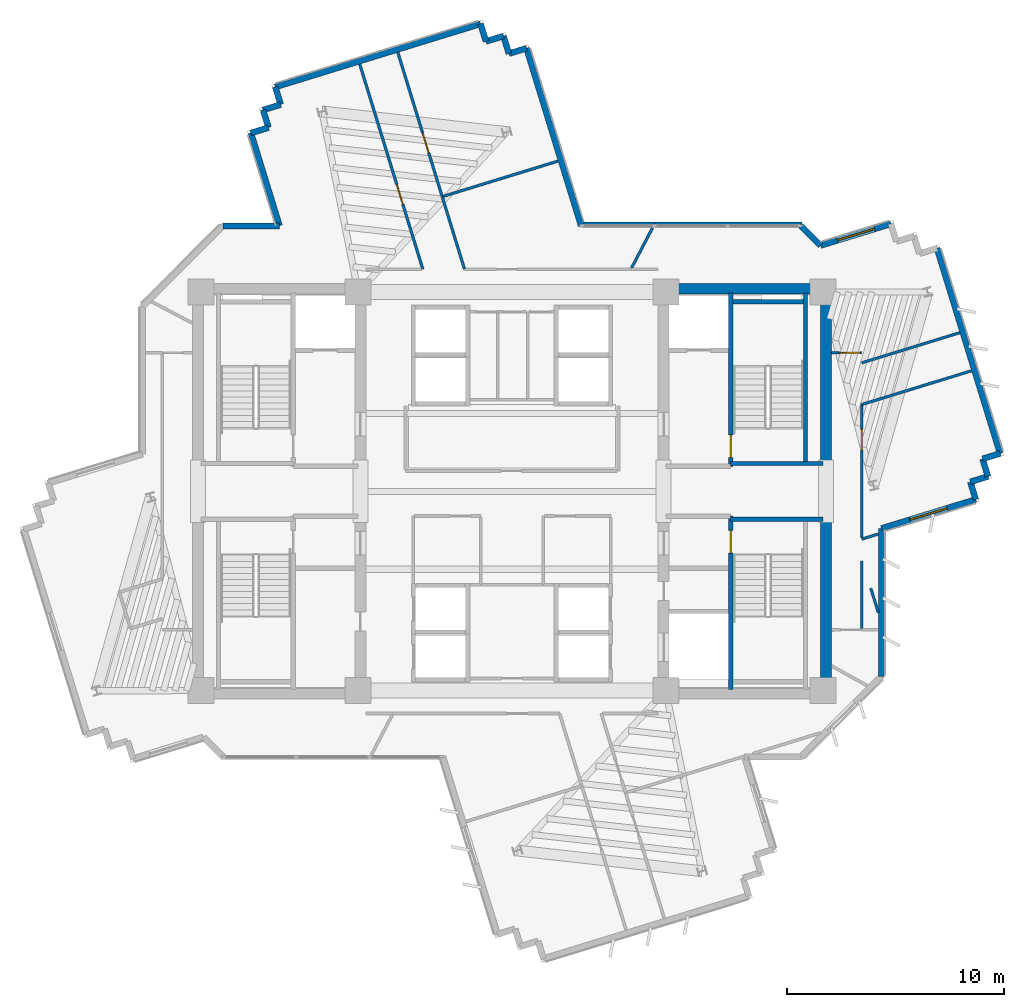
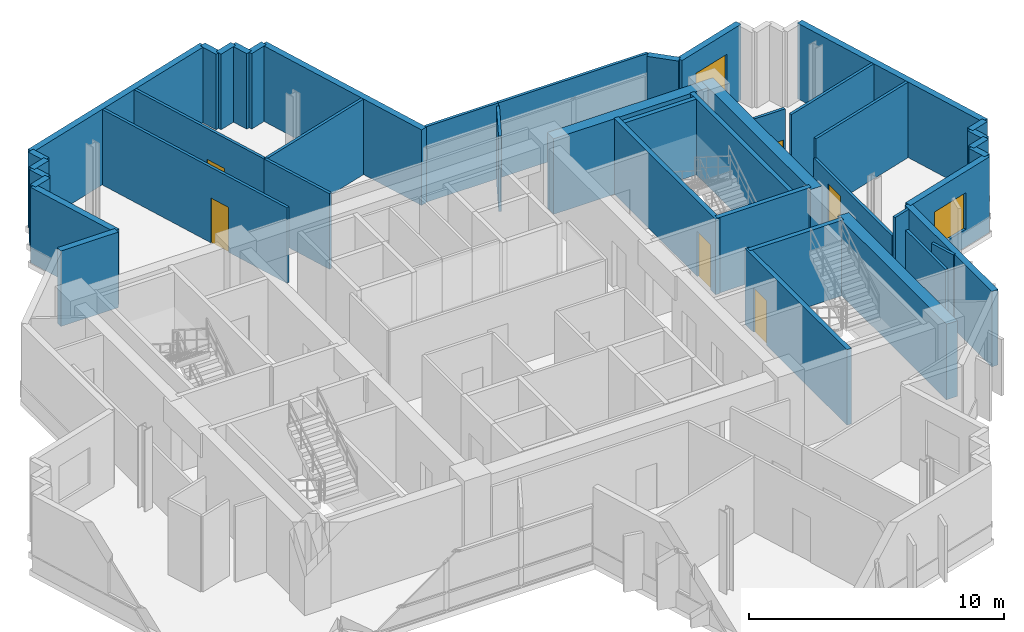
# One storey, part 8 of 13: 44 walls, 6 doors, 2 windows, 8 openings.
"""IFC4 building model written with IfcOpenShell, lengths in metres."""

from ifc_helpers import new_model, si_unit, direction, frame, frame_2d, origin, place, context, subcontext, project, spatial, rectangle, extrude, source, transform, mapped, material, layer, layer_set, type_object, element, fill, save


model = new_model("IFC4")

# Units and contexts
model_context = context("Model", 3, precision=1e-05, world=origin(), true_north=direction((0.0, 1.0)))
body_context = subcontext(model_context, "Body", "Model", "MODEL_VIEW")
ifc_project = project(units=[si_unit("LENGTHUNIT", "METRE"), si_unit("AREAUNIT", "SQUARE_METRE"), si_unit("VOLUMEUNIT", "CUBIC_METRE"), si_unit("PLANEANGLEUNIT", "RADIAN"), si_unit("MASSUNIT", "GRAM", prefix="KILO")], contexts=[model_context])

# Site, building, storey
site_placement = place(None, origin())
site = spatial("IfcSite", under=ifc_project, at=site_placement, CompositionType="ELEMENT")
building_placement = place(site_placement, origin())
building = spatial("IfcBuilding", under=site, at=building_placement, Name="Zahravan Cultural Tower", CompositionType="ELEMENT")
storey_placement = place(building_placement, frame((0.0, 0.0, 217.5)))
storey = spatial("IfcBuildingStorey", under=building, at=storey_placement, Name="L51", CompositionType="ELEMENT", Elevation=217.5)

# Wall, opening, window
ifc_material_1 = material(Name="Precast concrete C40/50", Category="concrete")
ifc_layer_1 = layer(ifc_material_1, 0.280029296875)
ifc_layer_set_1 = layer_set([ifc_layer_1], Name="Precast concrete C40/50")
wall_type_1 = type_object("IfcWallType", Name="EW-TC-280", PredefinedType="SOLIDWALL", material=ifc_layer_set_1)
wall_1_placement = place(storey_placement, frame((50.25, 38.351806640625, 0.0), z_axis=(0.0, 0.0, 1.0), x_axis=(0.955782111839, 0.294075763519, 0.0)))
wall_1 = element("IfcWall", 1, at=wall_1_placement, inside=storey, type_object=wall_type_1, Name="L51 Exterior Masonry Frame Wall 01", PredefinedType="SOLIDWALL", context=body_context, shape_type="SweptSolid", body=[
    extrude(rectangle(XDim=3.402099609375, YDim=0.280029296875, at=frame_2d((1.701171875, 0.0))), origin(), (0.0, 0.0, 1.0), 3.6201171875),
])
opening_1_placement = place(wall_1_placement, frame((0.801025390625, 0.0, 0.85009765625)))
opening_1 = element("IfcOpeningElement", 2, at=opening_1_placement, cuts=wall_1, Name="Opening WN-02", PredefinedType="OPENING", context=body_context, shape_type="SweptSolid", body=[
    extrude(rectangle(XDim=1.800048828125, YDim=1.75, at=frame_2d((0.89990234375, 0.875))), frame((0.0, 0.14990234375, 0.0), z_axis=(0.0, -1.0, 0.0), x_axis=(1.0, 0.0, 0.0)), (0.0, 0.0, 1.0), 0.300048828125),
])
ifc_material_2 = material(Name="Low-E solar-control double glazing", Category="glass")
window_type = type_object("IfcWindowType", Name="WN-REC-1800X1750", PartitioningType="DOUBLE_PANEL_VERTICAL", PredefinedType="WINDOW", material=ifc_material_2)
shared_shape_1 = source(origin(), body_context, "Body", "SweptSolid", [
    extrude(rectangle(XDim=1.800048828125, YDim=1.75, at=frame_2d((0.89990234375, 0.875))), frame((0.0, 0.030029296875, 0.0), z_axis=(0.0, -1.0, 0.0), x_axis=(1.0, 0.0, 0.0)), (0.0, 0.0, 1.0), 0.06005859375),
])
window_1_placement = place(opening_1_placement, origin())
window_1 = element("IfcWindow", 3, at=window_1_placement, inside=storey, type_object=window_type, Name="L51 Recessed Solar Window 01", OverallHeight=1.75, OverallWidth=1.800048828125, PartitioningType="DOUBLE_PANEL_VERTICAL", PredefinedType="WINDOW", context=body_context, shape_type="MappedRepresentation", body=[
    mapped(shared_shape_1, transform((0.0, 0.0, 0.0), x_axis=(1.0, 0.0, 0.0), y_axis=(0.0, 1.0, 0.0), z_axis=(0.0, 0.0, 1.0), scale=1.0)),
])
fill(opening_1, window_1)

wall_2_placement = place(storey_placement, frame((57.418212890625, 26.62109375, 0.0), z_axis=(0.0, 0.0, 1.0), x_axis=(-0.955788269664, -0.294055749089, 0.0)))
wall_2 = element("IfcWall", 4, at=wall_2_placement, inside=storey, type_object=wall_type_1, Name="L51 Exterior Masonry Frame Wall 11", PredefinedType="SOLIDWALL", context=body_context, shape_type="SweptSolid", body=[
    extrude(rectangle(XDim=4.559814453125, YDim=0.280029296875, at=frame_2d((2.27978515625, 0.0))), origin(), (0.0, 0.0, 1.0), 3.6201171875),
])
opening_2_placement = place(wall_2_placement, frame((1.3798828125, 0.0, 0.85009765625)))
opening_2 = element("IfcOpeningElement", 5, at=opening_2_placement, cuts=wall_2, Name="Opening WN-02", PredefinedType="OPENING", context=body_context, shape_type="SweptSolid", body=[
    extrude(rectangle(XDim=1.800048828125, YDim=1.75, at=frame_2d((0.89990234375, 0.875))), frame((0.0, 0.14990234375, 0.0), z_axis=(0.0, -1.0, 0.0), x_axis=(1.0, 0.0, 0.0)), (0.0, 0.0, 1.0), 0.300048828125),
])
window_2_placement = place(opening_2_placement, origin())
window_2 = element("IfcWindow", 6, at=window_2_placement, inside=storey, type_object=window_type, Name="L51 Recessed Solar Window 02", OverallHeight=1.75, OverallWidth=1.800048828125, PartitioningType="DOUBLE_PANEL_VERTICAL", PredefinedType="WINDOW", context=body_context, shape_type="MappedRepresentation", body=[
    mapped(shared_shape_1, transform((0.0, 0.0, 0.0), x_axis=(1.0, 0.0, 0.0), y_axis=(0.0, 1.0, 0.0), z_axis=(0.0, 0.0, 1.0), scale=1.0)),
])
fill(opening_2, window_2)

# Wall, opening, door
ifc_material_3 = material(Name="Gypsum plasterboard partition")
ifc_layer_2 = layer(ifc_material_3, 0.125)
ifc_layer_set_2 = layer_set([ifc_layer_2], Name="Gypsum plasterboard partition")
wall_type_2 = type_object("IfcWallType", Name="W-PART-125", PredefinedType="PARTITIONING", material=ifc_layer_set_2)
wall_3_placement = place(storey_placement, frame((52.14990234375, 24.86181640625, 0.0), z_axis=(0.0, 0.0, 1.0), x_axis=(0.0, 1.0, 0.0)))
wall_3 = element("IfcWall", 7, at=wall_3_placement, inside=storey, type_object=wall_type_2, Name="L51 Interior Wall 092", PredefinedType="PARTITIONING", context=body_context, shape_type="SweptSolid", body=[
    extrude(rectangle(XDim=6.14404296875, YDim=0.125, at=frame_2d((3.072021484375, 0.0))), origin(), (0.0, 0.0, 1.0), 2.693115234375),
])
opening_3_placement = place(wall_3_placement, frame((4.051513671875, 0.0, 0.0)))
opening_3 = element("IfcOpeningElement", 8, at=opening_3_placement, cuts=wall_3, Name="Opening D-L51-19", PredefinedType="OPENING", context=body_context, shape_type="SweptSolid", body=[
    extrude(rectangle(XDim=0.949951171875, YDim=2.14990234375, at=frame_2d((0.47509765625, 1.074951171875))), frame((0.0, 0.072509765625, 0.0), z_axis=(0.0, -1.0, 0.0), x_axis=(1.0, 0.0, 0.0)), (0.0, 0.0, 1.0), 0.14501953125),
])
ifc_material_4 = material(Name="Anodised bronze-aluminium mullion", Category="aluminium")
door_type_1 = type_object("IfcDoorType", Name="DR-ROOM-950", OperationType="NOTDEFINED", PredefinedType="DOOR", material=ifc_material_4)
shared_shape_2 = source(origin(), body_context, "Body", "SweptSolid", [
    extrude(rectangle(XDim=0.949951171875, YDim=2.14990234375, at=frame_2d((0.47509765625, 1.074951171875))), frame((0.0, 0.02490234375, 0.0), z_axis=(0.0, -1.0, 0.0), x_axis=(1.0, 0.0, 0.0)), (0.0, 0.0, 1.0), 0.050048828125),
])
door_1_placement = place(opening_3_placement, origin())
door_1 = element("IfcDoor", 9, at=door_1_placement, inside=storey, type_object=door_type_1, Name="L51 Door D-L51-19", OperationType="SINGLE_SWING_RIGHT", OverallHeight=2.14990234375, OverallWidth=0.949951171875, PredefinedType="DOOR", context=body_context, shape_type="MappedRepresentation", body=[
    mapped(shared_shape_2, transform((0.0, 0.0, 0.0), x_axis=(1.0, 0.0, 0.0), y_axis=(0.0, 1.0, 0.0), z_axis=(0.0, 0.0, 1.0), scale=1.0)),
])
fill(opening_3, door_1)

wall_4_placement = place(storey_placement, frame((32.771484375, 40.622802734375, 0.0), z_axis=(0.0, 0.0, 1.0), x_axis=(-0.294016682873, 0.955800287818, 0.0)))
wall_4 = element("IfcWall", 10, at=wall_4_placement, inside=storey, type_object=wall_type_2, Name="L51 Interior Wall 094", PredefinedType="PARTITIONING", context=body_context, shape_type="SweptSolid", body=[
    extrude(rectangle(XDim=6.945068359375, YDim=0.125, at=frame_2d((3.47265625, 0.0))), origin(), (0.0, 0.0, 1.0), 3.6201171875),
])
opening_4_placement = place(wall_4_placement, frame((2.098388671875, 0.0, 0.0)))
opening_4 = element("IfcOpeningElement", 11, at=opening_4_placement, cuts=wall_4, Name="Opening D-L51-22", PredefinedType="OPENING", context=body_context, shape_type="SweptSolid", body=[
    extrude(rectangle(XDim=0.949951171875, YDim=2.14990234375, at=frame_2d((0.47509765625, 1.074951171875))), frame((0.0, 0.072509765625, 0.0), z_axis=(0.0, -1.0, 0.0), x_axis=(1.0, 0.0, 0.0)), (0.0, 0.0, 1.0), 0.14501953125),
])
door_2_placement = place(opening_4_placement, origin())
door_2 = element("IfcDoor", 12, at=door_2_placement, inside=storey, type_object=door_type_1, Name="L51 Door D-L51-22", OperationType="SINGLE_SWING_LEFT", OverallHeight=2.14990234375, OverallWidth=0.949951171875, PredefinedType="DOOR", context=body_context, shape_type="MappedRepresentation", body=[
    mapped(shared_shape_2, transform((0.0, 0.0, 0.0), x_axis=(1.0, 0.0, 0.0), y_axis=(0.0, 1.0, 0.0), z_axis=(0.0, 0.0, 1.0), scale=1.0)),
])
fill(opening_4, door_2)

wall_5_placement = place(storey_placement, frame((52.14892578125, 33.39892578125, 0.0), z_axis=(0.0, 0.0, 1.0), x_axis=(-0.999999754632, 0.000700525222, 0.0)))
wall_5 = element("IfcWall", 13, at=wall_5_placement, inside=storey, type_object=wall_type_2, Name="L51 Interior Wall 099", PredefinedType="PARTITIONING", context=body_context, shape_type="SweptSolid", body=[
    extrude(rectangle(XDim=1.39404296875, YDim=0.125, at=frame_2d((0.697021484375, 0.0))), origin(), (0.0, 0.0, 1.0), 3.6201171875),
])
opening_5_placement = place(wall_5_placement, frame((0.083740234375, 0.0, 0.0)))
opening_5 = element("IfcOpeningElement", 14, at=opening_5_placement, cuts=wall_5, Name="Opening D-L51-20", PredefinedType="OPENING", context=body_context, shape_type="SweptSolid", body=[
    extrude(rectangle(XDim=0.949951171875, YDim=2.14990234375, at=frame_2d((0.47509765625, 1.074951171875))), frame((0.0, 0.072509765625, 0.0), z_axis=(0.0, -1.0, 0.0), x_axis=(1.0, 0.0, 0.0)), (0.0, 0.0, 1.0), 0.14501953125),
])
door_3_placement = place(opening_5_placement, origin())
door_3 = element("IfcDoor", 15, at=door_3_placement, inside=storey, type_object=door_type_1, Name="L51 Door D-L51-20", OperationType="SINGLE_SWING_LEFT", OverallHeight=2.14990234375, OverallWidth=0.949951171875, PredefinedType="DOOR", context=body_context, shape_type="MappedRepresentation", body=[
    mapped(shared_shape_2, transform((0.0, 0.0, 0.0), x_axis=(1.0, 0.0, 0.0), y_axis=(0.0, 1.0, 0.0), z_axis=(0.0, 0.0, 1.0), scale=1.0)),
])
fill(opening_5, door_3)

wall_6_placement = place(storey_placement, frame((28.970703125, 46.719970703125, 0.0), z_axis=(0.0, 0.0, 1.0), x_axis=(0.294052915152, -0.955789141542, 0.0)))
wall_6 = element("IfcWall", 16, at=wall_6_placement, inside=storey, type_object=wall_type_2, Name="L51 Interior Wall 100", PredefinedType="PARTITIONING", context=body_context, shape_type="SweptSolid", body=[
    extrude(rectangle(XDim=9.8974609375, YDim=0.125, at=frame_2d((4.94873046875, 0.0))), origin(), (0.0, 0.0, 1.0), 3.6201171875),
])
opening_6_placement = place(wall_6_placement, frame((5.81591796875, 0.0, 0.0)))
opening_6 = element("IfcOpeningElement", 17, at=opening_6_placement, cuts=wall_6, Name="Opening D-L51-23", PredefinedType="OPENING", context=body_context, shape_type="SweptSolid", body=[
    extrude(rectangle(XDim=0.949951171875, YDim=2.14990234375, at=frame_2d((0.47509765625, 1.074951171875))), frame((0.0, 0.072509765625, 0.0), z_axis=(0.0, -1.0, 0.0), x_axis=(1.0, 0.0, 0.0)), (0.0, 0.0, 1.0), 0.14501953125),
])
door_4_placement = place(opening_6_placement, origin())
door_4 = element("IfcDoor", 18, at=door_4_placement, inside=storey, type_object=door_type_1, Name="L51 Door D-L51-23", OperationType="SINGLE_SWING_RIGHT", OverallHeight=2.14990234375, OverallWidth=0.949951171875, PredefinedType="DOOR", context=body_context, shape_type="MappedRepresentation", body=[
    mapped(shared_shape_2, transform((0.0, 0.0, 0.0), x_axis=(1.0, 0.0, 0.0), y_axis=(0.0, 1.0, 0.0), z_axis=(0.0, 0.0, 1.0), scale=1.0)),
])
fill(opening_6, door_4)

ifc_material_5 = material(Name="Concrete C45/55", Category="concrete")
ifc_layer_3 = layer(ifc_material_5, 0.199951171875)
ifc_layer_set_3 = layer_set([ifc_layer_3], Name="Concrete C45/55")
wall_type_3 = type_object("IfcWallType", Name="W-SHAFT-200", PredefinedType="SOLIDWALL", material=ifc_layer_set_3)
wall_7_placement = place(storey_placement, frame((46.10009765625, 17.85009765625, 0.0), z_axis=(0.0, 0.0, 1.0), x_axis=(0.0, 1.0, 0.0)))
wall_7 = element("IfcWall", 19, at=wall_7_placement, inside=storey, type_object=wall_type_3, Name="L51 Interior Wall 007", PredefinedType="SOLIDWALL", context=body_context, shape_type="SweptSolid", body=[
    extrude(rectangle(XDim=8.0, YDim=0.199951171875, at=frame_2d((4.0, 0.0))), origin(), (0.0, 0.0, 1.0), 3.6201171875),
])
opening_7_placement = place(wall_7_placement, frame((6.300048828125, 0.0, 0.0)))
opening_7 = element("IfcOpeningElement", 20, at=opening_7_placement, cuts=wall_7, Name="Opening D-L51-03", PredefinedType="OPENING", context=body_context, shape_type="SweptSolid", body=[
    extrude(rectangle(XDim=1.050048828125, YDim=2.14990234375, at=frame_2d((0.52490234375, 1.074951171875))), frame((0.0, 0.10986328125, 0.0), z_axis=(0.0, -1.0, 0.0), x_axis=(1.0, 0.0, 0.0)), (0.0, 0.0, 1.0), 0.219970703125),
])
ifc_material_6 = material(Name="Steel ASTM A572 Grade 50", Category="steel")
door_type_2 = type_object("IfcDoorType", Name="DR-STAIR-1050", OperationType="NOTDEFINED", PredefinedType="DOOR", material=ifc_material_6)
shared_shape_3 = source(origin(), body_context, "Body", "SweptSolid", [
    extrude(rectangle(XDim=1.050048828125, YDim=2.14990234375, at=frame_2d((0.52490234375, 1.074951171875))), frame((0.0, 0.02490234375, 0.0), z_axis=(0.0, -1.0, 0.0), x_axis=(1.0, 0.0, 0.0)), (0.0, 0.0, 1.0), 0.050048828125),
])
door_5_placement = place(opening_7_placement, origin())
door_5 = element("IfcDoor", 21, at=door_5_placement, inside=storey, type_object=door_type_2, Name="L51 Door D-L51-03", OperationType="SINGLE_SWING_RIGHT", OverallHeight=2.14990234375, OverallWidth=1.050048828125, PredefinedType="DOOR", context=body_context, shape_type="MappedRepresentation", body=[
    mapped(shared_shape_3, transform((0.0, 0.0, 0.0), x_axis=(1.0, 0.0, 0.0), y_axis=(0.0, 1.0, 0.0), z_axis=(0.0, 0.0, 1.0), scale=1.0)),
])
fill(opening_7, door_5)

wall_8_placement = place(storey_placement, frame((46.10009765625, 28.14990234375, 0.0), z_axis=(0.0, 0.0, 1.0), x_axis=(0.0, 1.0, 0.0)))
wall_8 = element("IfcWall", 22, at=wall_8_placement, inside=storey, type_object=wall_type_3, Name="L51 Interior Wall 008", PredefinedType="SOLIDWALL", context=body_context, shape_type="SweptSolid", body=[
    extrude(rectangle(XDim=8.0, YDim=0.199951171875, at=frame_2d((4.0, 0.0))), origin(), (0.0, 0.0, 1.0), 3.6201171875),
])
opening_8_placement = place(wall_8_placement, frame((0.39990234375, 0.0, 0.0)))
opening_8 = element("IfcOpeningElement", 23, at=opening_8_placement, cuts=wall_8, Name="Opening D-L51-02", PredefinedType="OPENING", context=body_context, shape_type="SweptSolid", body=[
    extrude(rectangle(XDim=1.050048828125, YDim=2.14990234375, at=frame_2d((0.52490234375, 1.074951171875))), frame((0.0, 0.10986328125, 0.0), z_axis=(0.0, -1.0, 0.0), x_axis=(1.0, 0.0, 0.0)), (0.0, 0.0, 1.0), 0.219970703125),
])
door_6_placement = place(opening_8_placement, origin())
door_6 = element("IfcDoor", 24, at=door_6_placement, inside=storey, type_object=door_type_2, Name="L51 Door D-L51-02", OperationType="SINGLE_SWING_LEFT", OverallHeight=2.14990234375, OverallWidth=1.050048828125, PredefinedType="DOOR", context=body_context, shape_type="MappedRepresentation", body=[
    mapped(shared_shape_3, transform((0.0, 0.0, 0.0), x_axis=(1.0, 0.0, 0.0), y_axis=(0.0, 1.0, 0.0), z_axis=(0.0, 0.0, 1.0), scale=1.0)),
])
fill(opening_8, door_6)

# Walls
ifc_material_7 = material(Name="Concrete C60/75", Category="concrete")
ifc_layer_4 = layer(ifc_material_7, 0.5)
ifc_layer_set_4 = layer_set([ifc_layer_4], Name="Concrete C60/75")
wall_type_4 = type_object("IfcWallType", Name="CW-SHEAR-500-C60", PredefinedType="SHEAR", material=ifc_layer_set_4)
shared_shape_4 = source(origin(), body_context, "Body", "SweptSolid", [
    extrude(rectangle(XDim=8.550048828125, YDim=0.5, at=frame_2d((4.27490234375, 0.0))), origin(), (0.0, 0.0, 1.0), 3.6201171875),
])
for number, where, z_axis, x_axis, name in (
    (25, (50.5, 17.39990234375, 0.0), (0.0, 0.0, 1.0), (0.0, 1.0, 0.0), "L51 Core Shear Wall CW-E-ES-L51"),
    (26, (50.5, 28.050048828125, 0.0), (0.0, 0.0, 1.0), (0.0, 1.0, 0.0), "L51 Core Shear Wall CW-E-EN-L51"),
):
    element("IfcWall", number, at=place(storey_placement, frame(where, z_axis=z_axis, x_axis=x_axis)), inside=storey, type_object=wall_type_4, Name=name, PredefinedType="SHEAR", context=body_context, shape_type="MappedRepresentation", body=[
        mapped(shared_shape_4, transform((0.0, 0.0, 0.0), x_axis=(1.0, 0.0, 0.0), y_axis=(0.0, 1.0, 0.0), z_axis=(0.0, 0.0, 1.0), scale=1.0)),
    ])
shared_shape_5 = source(origin(), body_context, "Body", "SweptSolid", [
    extrude(rectangle(XDim=7.0, YDim=0.5, at=frame_2d((3.5, 0.0))), origin(), (0.0, 0.0, 1.0), 3.6201171875),
])
wall_9_placement = place(storey_placement, frame((43.25, 36.35009765625, 0.0), z_axis=(0.0, 0.0, 1.0), x_axis=(1.0, 0.0, 0.0)))
element("IfcWall", 27, at=wall_9_placement, inside=storey, type_object=wall_type_4, Name="L51 Core Shear Wall CW-E-N-L51", PredefinedType="SHEAR", context=body_context, shape_type="MappedRepresentation", body=[
    mapped(shared_shape_5, transform((0.0, 0.0, 0.0), x_axis=(1.0, 0.0, 0.0), y_axis=(0.0, 1.0, 0.0), z_axis=(0.0, 0.0, 1.0), scale=1.0)),
])
shared_shape_6 = source(origin(), body_context, "Body", "SweptSolid", [
    extrude(rectangle(XDim=0.85009765625, YDim=0.280029296875, at=frame_2d((0.425048828125, 0.0))), origin(), (0.0, 0.0, 1.0), 3.6201171875),
])
for number, where, z_axis, x_axis, name in (
    (28, (58.543212890625, 28.745849609375, 0.0), (0.0, 0.0, 1.0), (-0.955779008722, -0.294085848838, 0.0), "L51 Exterior Masonry Frame Wall 07"),
    (29, (57.980712890625, 27.68359375, 0.0), (0.0, 0.0, 1.0), (-0.955779008722, -0.294085848838, 0.0), "L51 Exterior Masonry Frame Wall 09"),
    (30, (57.168212890625, 27.43359375, 0.0), (0.0, 0.0, 1.0), (0.294085848838, -0.955779008722, 0.0), "L51 Exterior Masonry Frame Wall 10"),
    (31, (24.754150390625, 43.795654296875, 0.0), (0.0, 0.0, 1.0), (-0.293823460726, 0.955859704102, 0.0), "L51 Exterior Masonry Frame Wall 43"),
    (32, (25.316650390625, 44.858154296875, 0.0), (0.0, 0.0, 1.0), (-0.293823460726, 0.955859704102, 0.0), "L51 Exterior Masonry Frame Wall 45"),
    (33, (34.54833984375, 48.58740234375, 0.0), (0.0, 0.0, 1.0), (0.293823460726, -0.955859704102, 0.0), "L51 Exterior Masonry Frame Wall 47"),
    (34, (34.798095703125, 47.77490234375, 0.0), (0.0, 0.0, 1.0), (0.955779008722, 0.294085848838, 0.0), "L51 Exterior Masonry Frame Wall 48"),
    (35, (35.610595703125, 48.02490234375, 0.0), (0.0, 0.0, 1.0), (0.294085848838, -0.955779008722, 0.0), "L51 Exterior Masonry Frame Wall 49"),
    (36, (35.860595703125, 47.21240234375, 0.0), (0.0, 0.0, 1.0), (0.955779008722, 0.294085848838, 0.0), "L51 Exterior Masonry Frame Wall 50"),
):
    element("IfcWall", number, at=place(storey_placement, frame(where, z_axis=z_axis, x_axis=x_axis)), inside=storey, type_object=wall_type_1, Name=name, PredefinedType="SOLIDWALL", context=body_context, shape_type="MappedRepresentation", body=[
        mapped(shared_shape_6, transform((0.0, 0.0, 0.0), x_axis=(1.0, 0.0, 0.0), y_axis=(0.0, 1.0, 0.0), z_axis=(0.0, 0.0, 1.0), scale=1.0)),
    ])
shared_shape_7 = source(origin(), body_context, "Body", "SweptSolid", [
    extrude(rectangle(XDim=0.849853515625, YDim=0.280029296875, at=frame_2d((0.4248046875, 0.0))), origin(), (0.0, 0.0, 1.0), 3.6201171875),
])
for number, where, z_axis, x_axis, name in (
    (37, (57.730712890625, 28.495849609375, 0.0), (0.0, 0.0, 1.0), (0.294166594531, -0.95575416016, 0.0), "L51 Exterior Masonry Frame Wall 08"),
    (38, (23.94189453125, 43.5458984375, 0.0), (0.0, 0.0, 1.0), (0.955834897765, 0.293904148005, 0.0), "L51 Exterior Masonry Frame Wall 42"),
    (39, (24.50439453125, 44.608154296875, 0.0), (0.0, 0.0, 1.0), (0.95575416016, 0.294166594531, 0.0), "L51 Exterior Masonry Frame Wall 44"),
):
    element("IfcWall", number, at=place(storey_placement, frame(where, z_axis=z_axis, x_axis=x_axis)), inside=storey, type_object=wall_type_1, Name=name, PredefinedType="SOLIDWALL", context=body_context, shape_type="MappedRepresentation", body=[
        mapped(shared_shape_7, transform((0.0, 0.0, 0.0), x_axis=(1.0, 0.0, 0.0), y_axis=(0.0, 1.0, 0.0), z_axis=(0.0, 0.0, 1.0), scale=1.0)),
    ])
shared_shape_8 = source(origin(), body_context, "Body", "SweptSolid", [
    extrude(rectangle(XDim=9.919921875, YDim=0.280029296875, at=frame_2d((4.9599609375, 0.0))), origin(), (0.0, 0.0, 1.0), 3.6201171875),
])
for number, where, z_axis, x_axis, name in (
    (40, (55.62646484375, 38.227294921875, 0.0), (0.0, 0.0, 1.0), (0.294028777175, -0.955796567368, 0.0), "L51 Exterior Masonry Frame Wall 06"),
    (41, (25.06689453125, 45.670654296875, 0.0), (0.0, 0.0, 1.0), (0.955796567368, 0.294028777175, 0.0), "L51 Exterior Masonry Frame Wall 46"),
):
    element("IfcWall", number, at=place(storey_placement, frame(where, z_axis=z_axis, x_axis=x_axis)), inside=storey, type_object=wall_type_1, Name=name, PredefinedType="SOLIDWALL", context=body_context, shape_type="MappedRepresentation", body=[
        mapped(shared_shape_8, transform((0.0, 0.0, 0.0), x_axis=(1.0, 0.0, 0.0), y_axis=(0.0, 1.0, 0.0), z_axis=(0.0, 0.0, 1.0), scale=1.0)),
    ])
shared_shape_9 = source(origin(), body_context, "Body", "SweptSolid", [
    extrude(rectangle(XDim=6.822265625, YDim=0.280029296875, at=frame_2d((3.4111328125, 0.0))), origin(), (0.0, 0.0, 1.0), 3.6201171875),
])
wall_10_placement = place(storey_placement, frame((53.06005859375, 25.2802734375, 0.0), z_axis=(0.0, 0.0, 1.0), x_axis=(0.0, -1.0, 0.0)))
element("IfcWall", 42, at=wall_10_placement, inside=storey, type_object=wall_type_1, Name="L51 Exterior Masonry Frame Wall 12", PredefinedType="SOLIDWALL", context=body_context, shape_type="MappedRepresentation", body=[
    mapped(shared_shape_9, transform((0.0, 0.0, 0.0), x_axis=(1.0, 0.0, 0.0), y_axis=(0.0, 1.0, 0.0), z_axis=(0.0, 0.0, 1.0), scale=1.0)),
])
shared_shape_10 = source(origin(), body_context, "Body", "SweptSolid", [
    extrude(rectangle(XDim=2.602294921875, YDim=0.280029296875, at=frame_2d((1.30126953125, 0.0))), origin(), (0.0, 0.0, 1.0), 3.6201171875),
])
wall_11_placement = place(storey_placement, frame((22.657958984375, 39.260009765625, 0.0), z_axis=(0.0, 0.0, 1.0), x_axis=(1.0, 0.0, 0.0)))
element("IfcWall", 43, at=wall_11_placement, inside=storey, type_object=wall_type_1, Name="L51 Exterior Masonry Frame Wall 40", PredefinedType="SOLIDWALL", context=body_context, shape_type="MappedRepresentation", body=[
    mapped(shared_shape_10, transform((0.0, 0.0, 0.0), x_axis=(1.0, 0.0, 0.0), y_axis=(0.0, 1.0, 0.0), z_axis=(0.0, 0.0, 1.0), scale=1.0)),
])
shared_shape_11 = source(origin(), body_context, "Body", "SweptSolid", [
    extrude(rectangle(XDim=1.2841796875, YDim=0.280029296875, at=frame_2d((0.64208984375, 0.0))), origin(), (0.0, 0.0, 1.0), 3.6201171875),
])
wall_12_placement = place(storey_placement, frame((49.342041015625, 39.260009765625, 0.0), z_axis=(0.0, 0.0, 1.0), x_axis=(0.707011720788, -0.707201828807, 0.0)))
element("IfcWall", 44, at=wall_12_placement, inside=storey, type_object=wall_type_1, Name="L51 Exterior Masonry Frame Wall 52", PredefinedType="SOLIDWALL", context=body_context, shape_type="MappedRepresentation", body=[
    mapped(shared_shape_11, transform((0.0, 0.0, 0.0), x_axis=(1.0, 0.0, 0.0), y_axis=(0.0, 1.0, 0.0), z_axis=(0.0, 0.0, 1.0), scale=1.0)),
])
shared_shape_12 = source(origin(), body_context, "Body", "SweptSolid", [
    extrude(rectangle(XDim=4.484130859375, YDim=0.280029296875, at=frame_2d((2.2421875, 0.0))), origin(), (0.0, 0.0, 1.0), 3.6201171875),
])
wall_13_placement = place(storey_placement, frame((25.26025390625, 39.260009765625, 0.0), z_axis=(0.0, 0.0, 1.0), x_axis=(-0.294009328951, 0.95580254995, 0.0)))
element("IfcWall", 45, at=wall_13_placement, inside=storey, type_object=wall_type_1, Name="L51 Exterior Masonry Frame Wall 41", PredefinedType="SOLIDWALL", context=body_context, shape_type="MappedRepresentation", body=[
    mapped(shared_shape_12, transform((0.0, 0.0, 0.0), x_axis=(1.0, 0.0, 0.0), y_axis=(0.0, 1.0, 0.0), z_axis=(0.0, 0.0, 1.0), scale=1.0)),
])
shared_shape_13 = source(origin(), body_context, "Body", "SweptSolid", [
    extrude(rectangle(XDim=8.581787109375, YDim=0.280029296875, at=frame_2d((4.291015625, 0.0))), origin(), (0.0, 0.0, 1.0), 3.6201171875),
])
wall_14_placement = place(storey_placement, frame((36.673095703125, 47.46240234375, 0.0), z_axis=(0.0, 0.0, 1.0), x_axis=(0.294019877333, -0.955799305154, 0.0)))
element("IfcWall", 46, at=wall_14_placement, inside=storey, type_object=wall_type_1, Name="L51 Exterior Masonry Frame Wall 51", PredefinedType="SOLIDWALL", context=body_context, shape_type="MappedRepresentation", body=[
    mapped(shared_shape_13, transform((0.0, 0.0, 0.0), x_axis=(1.0, 0.0, 0.0), y_axis=(0.0, 1.0, 0.0), z_axis=(0.0, 0.0, 1.0), scale=1.0)),
])
shared_shape_14 = source(origin(), body_context, "Body", "SweptSolid", [
    extrude(rectangle(XDim=7.869873046875, YDim=0.199951171875, at=frame_2d((3.93505859375, 0.0))), origin(), (0.0, 0.0, 1.0), 3.6201171875),
])
wall_15_placement = place(storey_placement, frame((49.550048828125, 28.280029296875, 0.0), z_axis=(0.0, 0.0, 1.0), x_axis=(0.0, 1.0, 0.0)))
element("IfcWall", 47, at=wall_15_placement, inside=storey, type_object=wall_type_3, Name="L51 Interior Wall 004", PredefinedType="SOLIDWALL", context=body_context, shape_type="MappedRepresentation", body=[
    mapped(shared_shape_14, transform((0.0, 0.0, 0.0), x_axis=(1.0, 0.0, 0.0), y_axis=(0.0, 1.0, 0.0), z_axis=(0.0, 0.0, 1.0), scale=1.0)),
])
shared_shape_15 = source(origin(), body_context, "Body", "SweptSolid", [
    extrude(rectangle(XDim=4.25, YDim=0.199951171875, at=frame_2d((2.125, 0.0))), origin(), (0.0, 0.0, 1.0), 3.6201171875),
])
for number, where, z_axis, x_axis, name in (
    (48, (46.10009765625, 25.715087890625, 0.0), (0.0, 0.0, 1.0), (1.0, 0.0, 0.0), "L51 Interior Wall 014"),
    (49, (46.10009765625, 28.284912109375, 0.0), (0.0, 0.0, 1.0), (1.0, 0.0, 0.0), "L51 Interior Wall 016"),
):
    element("IfcWall", number, at=place(storey_placement, frame(where, z_axis=z_axis, x_axis=x_axis)), inside=storey, type_object=wall_type_3, Name=name, PredefinedType="SOLIDWALL", context=body_context, shape_type="MappedRepresentation", body=[
        mapped(shared_shape_15, transform((0.0, 0.0, 0.0), x_axis=(1.0, 0.0, 0.0), y_axis=(0.0, 1.0, 0.0), z_axis=(0.0, 0.0, 1.0), scale=1.0)),
    ])
shared_shape_16 = source(origin(), body_context, "Body", "SweptSolid", [
    extrude(rectangle(XDim=3.25, YDim=0.199951171875, at=frame_2d((1.625, 0.0))), origin(), (0.0, 0.0, 1.0), 3.6201171875),
])
wall_16_placement = place(storey_placement, frame((46.199951171875, 35.75, 0.0), z_axis=(0.0, 0.0, 1.0), x_axis=(1.0, 0.0, 0.0)))
element("IfcWall", 50, at=wall_16_placement, inside=storey, type_object=wall_type_3, Name="L51 Interior Wall 018", PredefinedType="SOLIDWALL", context=body_context, shape_type="MappedRepresentation", body=[
    mapped(shared_shape_16, transform((0.0, 0.0, 0.0), x_axis=(1.0, 0.0, 0.0), y_axis=(0.0, 1.0, 0.0), z_axis=(0.0, 0.0, 1.0), scale=1.0)),
])
shared_shape_17 = source(origin(), body_context, "Body", "SweptSolid", [
    extrude(rectangle(XDim=3.10986328125, YDim=0.125, at=frame_2d((1.554931640625, 0.0))), origin(), (0.0, 0.0, 1.0), 3.6201171875),
])
wall_17_placement = place(storey_placement, frame((52.148681640625, 20.669921875, 0.0), z_axis=(0.0, 0.0, 1.0), x_axis=(0.000392526269, 0.999999922962, 0.0)))
element("IfcWall", 51, at=wall_17_placement, inside=storey, type_object=wall_type_2, Name="L51 Interior Wall 063", PredefinedType="PARTITIONING", context=body_context, shape_type="MappedRepresentation", body=[
    mapped(shared_shape_17, transform((0.0, 0.0, 0.0), x_axis=(1.0, 0.0, 0.0), y_axis=(0.0, 1.0, 0.0), z_axis=(0.0, 0.0, 1.0), scale=1.0)),
])
shared_shape_18 = source(origin(), body_context, "Body", "SweptSolid", [
    extrude(rectangle(XDim=1.18017578125, YDim=0.125, at=frame_2d((0.590087890625, 0.0))), origin(), (0.0, 0.0, 1.0), 3.6201171875),
])
wall_18_placement = place(storey_placement, frame((52.569580078125, 22.52099609375, 0.0), z_axis=(0.0, 0.0, 1.0), x_axis=(0.293984081944, -0.955810315682, 0.0)))
element("IfcWall", 52, at=wall_18_placement, inside=storey, type_object=wall_type_2, Name="L51 Interior Wall 064", PredefinedType="PARTITIONING", context=body_context, shape_type="MappedRepresentation", body=[
    mapped(shared_shape_18, transform((0.0, 0.0, 0.0), x_axis=(1.0, 0.0, 0.0), y_axis=(0.0, 1.0, 0.0), z_axis=(0.0, 0.0, 1.0), scale=1.0)),
])
shared_shape_19 = source(origin(), body_context, "Body", "SweptSolid", [
    extrude(rectangle(XDim=3.498291015625, YDim=0.125, at=frame_2d((1.7490234375, 0.0))), origin(), (0.0, 0.0, 1.0), 3.6201171875),
])
wall_19_placement = place(storey_placement, frame((33.80615234375, 37.260009765625, 0.0), z_axis=(0.0, 0.0, 1.0), x_axis=(-0.294012288782, 0.955801639487, 0.0)))
element("IfcWall", 53, at=wall_19_placement, inside=storey, type_object=wall_type_2, Name="L51 Interior Wall 079", PredefinedType="PARTITIONING", context=body_context, shape_type="MappedRepresentation", body=[
    mapped(shared_shape_19, transform((0.0, 0.0, 0.0), x_axis=(1.0, 0.0, 0.0), y_axis=(0.0, 1.0, 0.0), z_axis=(0.0, 0.0, 1.0), scale=1.0)),
])
shared_shape_20 = source(origin(), body_context, "Body", "SweptSolid", [
    extrude(rectangle(XDim=5.594970703125, YDim=0.125, at=frame_2d((2.79736328125, 0.0))), origin(), (0.0, 0.0, 1.0), 3.6201171875),
])
wall_20_placement = place(storey_placement, frame((32.777587890625, 40.603759765625, 0.0), z_axis=(0.0, 0.0, 1.0), x_axis=(0.955787499516, 0.294058252339, 0.0)))
element("IfcWall", 54, at=wall_20_placement, inside=storey, type_object=wall_type_2, Name="L51 Interior Wall 080", PredefinedType="PARTITIONING", context=body_context, shape_type="MappedRepresentation", body=[
    mapped(shared_shape_20, transform((0.0, 0.0, 0.0), x_axis=(1.0, 0.0, 0.0), y_axis=(0.0, 1.0, 0.0), z_axis=(0.0, 0.0, 1.0), scale=1.0)),
])
shared_shape_21 = source(origin(), body_context, "Body", "SweptSolid", [
    extrude(rectangle(XDim=3.29150390625, YDim=0.125, at=frame_2d((1.645751953125, 0.0))), origin(), (0.0, 0.0, 1.0), 3.6201171875),
])
wall_21_placement = place(storey_placement, frame((39.311279296875, 39.3798828125, 0.0), z_axis=(0.0, 0.0, 1.0), x_axis=(1.0, 0.0, 0.0)))
element("IfcWall", 55, at=wall_21_placement, inside=storey, type_object=wall_type_2, Name="L51 Interior Wall 081", PredefinedType="PARTITIONING", context=body_context, shape_type="MappedRepresentation", body=[
    mapped(shared_shape_21, transform((0.0, 0.0, 0.0), x_axis=(1.0, 0.0, 0.0), y_axis=(0.0, 1.0, 0.0), z_axis=(0.0, 0.0, 1.0), scale=1.0)),
])
shared_shape_22 = source(origin(), body_context, "Body", "SweptSolid", [
    extrude(rectangle(XDim=2.0693359375, YDim=0.125, at=frame_2d((1.03466796875, 0.0))), origin(), (0.0, 0.0, 1.0), 3.6201171875),
])
wall_22_placement = place(storey_placement, frame((42.485107421875, 39.155029296875, 0.0), z_axis=(0.0, 0.0, 1.0), x_axis=(-0.46379536588, -0.885942356244, 0.0)))
element("IfcWall", 56, at=wall_22_placement, inside=storey, type_object=wall_type_2, Name="L51 Interior Wall 082", PredefinedType="PARTITIONING", context=body_context, shape_type="MappedRepresentation", body=[
    mapped(shared_shape_22, transform((0.0, 0.0, 0.0), x_axis=(1.0, 0.0, 0.0), y_axis=(0.0, 1.0, 0.0), z_axis=(0.0, 0.0, 1.0), scale=1.0)),
])
shared_shape_23 = source(origin(), body_context, "Body", "SweptSolid", [
    extrude(rectangle(XDim=0.800537109375, YDim=0.125, at=frame_2d((0.400390625, 0.0))), origin(), (0.0, 0.0, 1.0), 3.6201171875),
])
wall_23_placement = place(storey_placement, frame((52.9150390625, 25.0263671875, 0.0), z_axis=(0.0, 0.0, 1.0), x_axis=(-0.955805381473, -0.29400012372, 0.0)))
element("IfcWall", 57, at=wall_23_placement, inside=storey, type_object=wall_type_2, Name="L51 Interior Wall 091", PredefinedType="PARTITIONING", context=body_context, shape_type="MappedRepresentation", body=[
    mapped(shared_shape_23, transform((0.0, 0.0, 0.0), x_axis=(1.0, 0.0, 0.0), y_axis=(0.0, 1.0, 0.0), z_axis=(0.0, 0.0, 1.0), scale=1.0)),
])
shared_shape_24 = source(origin(), body_context, "Body", "SweptSolid", [
    extrude(rectangle(XDim=5.30126953125, YDim=0.125, at=frame_2d((2.650634765625, 0.0))), origin(), (0.0, 0.0, 1.0), 3.6201171875),
])
wall_24_placement = place(storey_placement, frame((52.14990234375, 31.005859375, 0.0), z_axis=(0.0, 0.0, 1.0), x_axis=(0.955789961274, 0.294050250686, 0.0)))
element("IfcWall", 58, at=wall_24_placement, inside=storey, type_object=wall_type_2, Name="L51 Interior Wall 093", PredefinedType="PARTITIONING", context=body_context, shape_type="MappedRepresentation", body=[
    mapped(shared_shape_24, transform((0.0, 0.0, 0.0), x_axis=(1.0, 0.0, 0.0), y_axis=(0.0, 1.0, 0.0), z_axis=(0.0, 0.0, 1.0), scale=1.0)),
])
shared_shape_25 = source(origin(), body_context, "Body", "SweptSolid", [
    extrude(rectangle(XDim=6.7890625, YDim=0.125, at=frame_2d((3.39453125, 0.0))), origin(), (0.0, 0.0, 1.0), 3.6201171875),
])
wall_25_placement = place(storey_placement, frame((42.602783203125, 39.3798828125, 0.0), z_axis=(0.0, 0.0, 1.0), x_axis=(1.0, 0.0, 0.0)))
element("IfcWall", 59, at=wall_25_placement, inside=storey, type_object=wall_type_2, Name="L51 Interior Wall 097", PredefinedType="PARTITIONING", context=body_context, shape_type="MappedRepresentation", body=[
    mapped(shared_shape_25, transform((0.0, 0.0, 0.0), x_axis=(1.0, 0.0, 0.0), y_axis=(0.0, 1.0, 0.0), z_axis=(0.0, 0.0, 1.0), scale=1.0)),
])
shared_shape_26 = source(origin(), body_context, "Body", "SweptSolid", [
    extrude(rectangle(XDim=4.735107421875, YDim=0.125, at=frame_2d((2.36767578125, 0.0))), origin(), (0.0, 0.0, 1.0), 3.6201171875),
])
wall_26_placement = place(storey_placement, frame((56.67578125, 34.3232421875, 0.0), z_axis=(0.0, 0.0, 1.0), x_axis=(-0.955793499711, -0.294038748994, 0.0)))
element("IfcWall", 60, at=wall_26_placement, inside=storey, type_object=wall_type_2, Name="L51 Interior Wall 098", PredefinedType="PARTITIONING", context=body_context, shape_type="MappedRepresentation", body=[
    mapped(shared_shape_26, transform((0.0, 0.0, 0.0), x_axis=(1.0, 0.0, 0.0), y_axis=(0.0, 1.0, 0.0), z_axis=(0.0, 0.0, 1.0), scale=1.0)),
])

save(model, "model.ifc")
